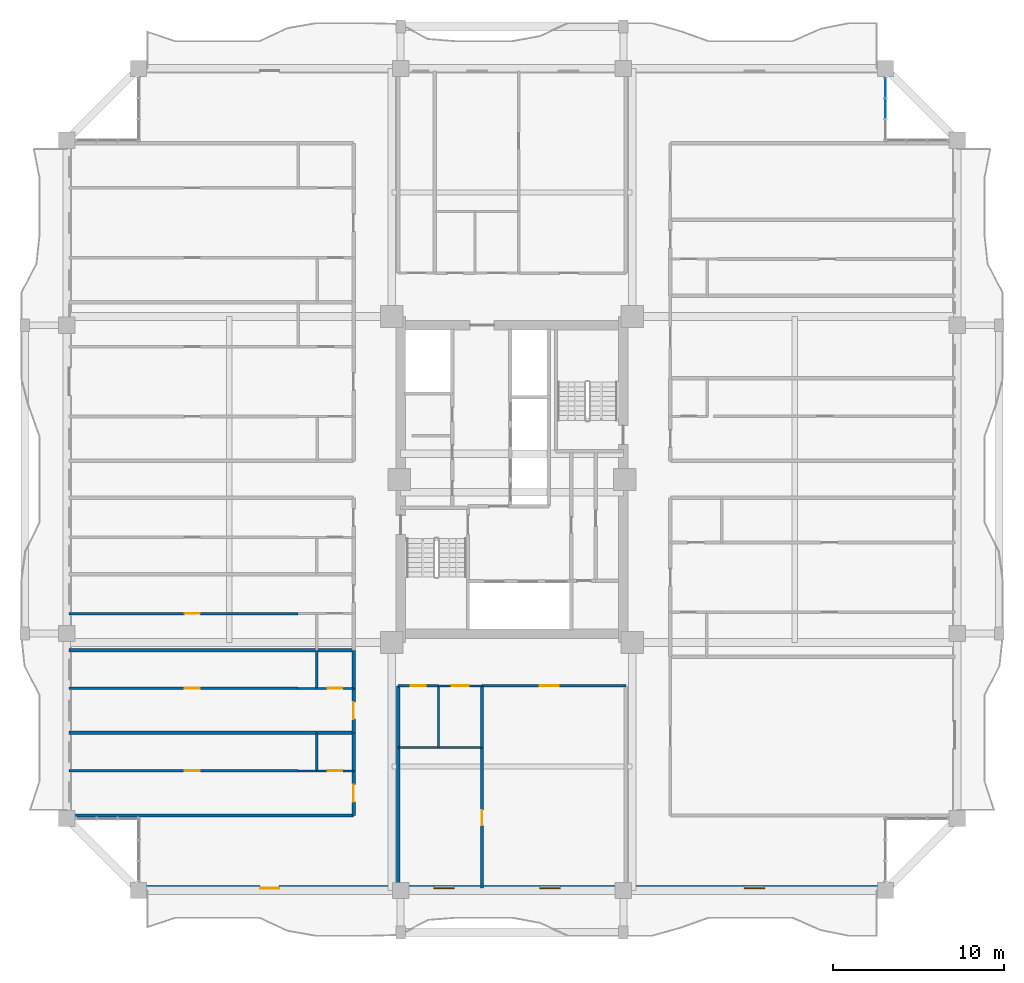
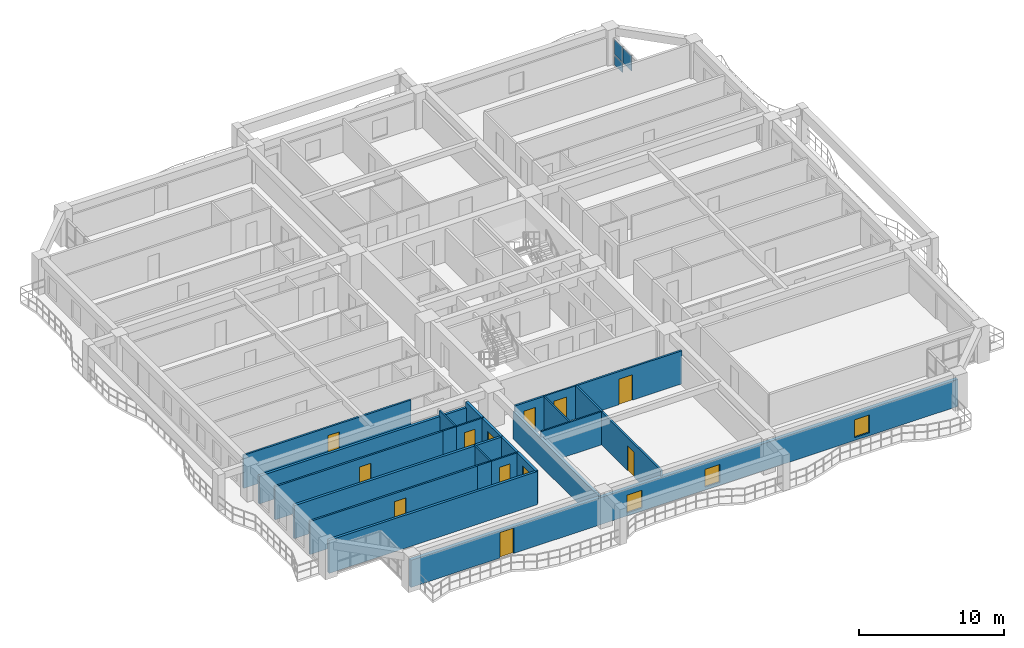
# One storey, part 13 of 24: 25 walls, 12 doors, 3 plates, 3 windows, 15 openings, 1 element without a shape of its own.
"""IFC4 building model written with IfcOpenShell, lengths in metres."""

from ifc_helpers import new_model, si_unit, direction, frame, frame_2d, origin, origin_2d, place, context, subcontext, project, spatial, rectangle, extrude, source, transform, mapped, material, layer, layer_set, type_object, element, fill, aggregate, save


model = new_model("IFC4")

# Units and contexts
model_context = context("Model", 3, precision=1e-05, world=origin(), true_north=direction((0.0, 1.0)))
body_context = subcontext(model_context, "Body", "Model", "MODEL_VIEW")
ifc_project = project(units=[si_unit("LENGTHUNIT", "METRE"), si_unit("AREAUNIT", "SQUARE_METRE"), si_unit("VOLUMEUNIT", "CUBIC_METRE"), si_unit("PLANEANGLEUNIT", "RADIAN"), si_unit("MASSUNIT", "GRAM", prefix="KILO")], contexts=[model_context])

# Site, building, storey
site_placement = place(None, origin())
site = spatial("IfcSite", under=ifc_project, at=site_placement, CompositionType="ELEMENT")
building_placement = place(site_placement, origin())
building = spatial("IfcBuilding", under=site, at=building_placement, Name="Saelheon Loggia Tower", CompositionType="ELEMENT")
storey_placement = place(building_placement, frame((0.0, 0.0, 126.75)))
storey = spatial("IfcBuildingStorey", under=building, at=storey_placement, Name="L40", CompositionType="ELEMENT", Elevation=126.75)

# Curtain wall, plates
ifc_material_1 = material(Name="High-Wind Aluminium and Triple Laminated Glass", Category="aluminium")
ifc_layer_1 = layer(ifc_material_1, 0.179931640625)
ifc_layer_set_1 = layer_set([ifc_layer_1], Name="High-Wind Aluminium and Triple Laminated Glass")
curtain_wall_type = type_object("IfcCurtainWallType", Name="CW_TowerLoggiaHigh", PredefinedType="NOTDEFINED", material=ifc_layer_set_1)
curtain_wall_placement = place(storey_placement, origin())
curtain_wall = element("IfcCurtainWall", 1, at=curtain_wall_placement, inside=storey, type_object=curtain_wall_type, Name="L40 Corner Notch Glazing NE1", PredefinedType="NOTDEFINED")
ifc_material_2 = material(Name="Triple Low-E Laminated Glazing", Category="glass")
ifc_layer_2 = layer(ifc_material_2, 0.0439453125)
ifc_layer_set_2 = layer_set([ifc_layer_2], Name="Triple Low-E Laminated Glazing")
plate_type = type_object("IfcPlateType", Name="CW_TowerLoggiaHigh_Panel", PredefinedType="CURTAIN_PANEL", material=ifc_layer_set_2)
shared_shape_1 = source(origin(), body_context, "Body", "SweptSolid", [
    extrude(rectangle(XDim=1.123291015625, YDim=0.0439453125, at=origin_2d()), origin(), (0.0, 0.0, 1.0), 0.794921875),
])
plate_1_placement = place(storey_placement, frame((59.800048828125, 49.853271484375, 0.070068359375), z_axis=(0.0, 0.0, 1.0), x_axis=(0.0, 1.0, 0.0)))
plate_1 = element("IfcPlate", 2, at=plate_1_placement, type_object=plate_type, Name="CW4 panel 3.1", PredefinedType="CURTAIN_PANEL", context=body_context, shape_type="MappedRepresentation", body=[
    mapped(shared_shape_1, transform((0.0, 0.0, 0.0), scale=1.0)),
])
shared_shape_2 = source(origin(), body_context, "Body", "SweptSolid", [
    extrude(rectangle(XDim=1.123291015625, YDim=0.0439453125, at=origin_2d()), origin(), (0.0, 0.0, 1.0), 1.27490234375),
])
plate_2_placement = place(storey_placement, frame((59.800048828125, 49.853271484375, 0.93505859375), z_axis=(0.0, 0.0, 1.0), x_axis=(0.0, 1.0, 0.0)))
plate_2 = element("IfcPlate", 3, at=plate_2_placement, type_object=plate_type, Name="CW4 panel 3.2", PredefinedType="CURTAIN_PANEL", context=body_context, shape_type="MappedRepresentation", body=[
    mapped(shared_shape_2, transform((0.0, 0.0, 0.0), scale=1.0)),
])
shared_shape_3 = source(origin(), body_context, "Body", "SweptSolid", [
    extrude(rectangle(XDim=1.158447265625, YDim=0.0439453125, at=origin_2d()), origin(), (0.0, 0.0, 1.0), 1.27490234375),
])
plate_3_placement = place(storey_placement, frame((59.800048828125, 48.642578125, 0.93505859375), z_axis=(0.0, 0.0, 1.0), x_axis=(0.0, 1.0, 0.0)))
plate_3 = element("IfcPlate", 4, at=plate_3_placement, type_object=plate_type, Name="CW4 panel 2.2", PredefinedType="CURTAIN_PANEL", context=body_context, shape_type="MappedRepresentation", body=[
    mapped(shared_shape_3, transform((0.0, 0.0, 0.0), scale=1.0)),
])
aggregate(curtain_wall, [plate_3, plate_1, plate_2])

# Wall, openings, windows, door
ifc_material_3 = material(Name="Architectural Precast Concrete C40/50", Category="concrete")
ifc_layer_3 = layer(ifc_material_3, 0.280029296875)
ifc_layer_set_3 = layer_set([ifc_layer_3], Name="Architectural Precast Concrete C40/50")
wall_type_1 = type_object("IfcWallType", Name="Wall_Ext_Loggia_280", PredefinedType="SOLIDWALL", material=ifc_layer_set_3)
wall_1_placement = place(storey_placement, frame((16.199951171875, 3.139892578125, 0.0), z_axis=(0.0, 0.0, 1.0), x_axis=(1.0, 0.0, 0.0)))
wall_1 = element("IfcWall", 5, at=wall_1_placement, inside=storey, type_object=wall_type_1, Name="L40 South Loggia Inner Wall", PredefinedType="SOLIDWALL", context=body_context, shape_type="SweptSolid", body=[
    extrude(rectangle(XDim=43.60009765625, YDim=0.280029296875, at=frame_2d((21.800048828125, 0.0))), origin(), (0.0, 0.0, 1.0), 2.280029296875),
])
opening_1_placement = place(wall_1_placement, frame((8.2001953125, 0.0, 0.0), z_axis=(0.0, 0.0, 1.0), x_axis=(-1.0, 0.0, 0.0)))
opening_1 = element("IfcOpeningElement", 6, at=opening_1_placement, cuts=wall_1, Name="Opening TD1", PredefinedType="OPENING", context=body_context, shape_type="SweptSolid", body=[
    extrude(rectangle(XDim=1.10009765625, YDim=2.14990234375, at=frame_2d((0.550048828125, 1.074951171875))), frame((0.0, 0.152099609375, 0.0), z_axis=(0.0, -1.0, 0.0), x_axis=(1.0, 0.0, 0.0)), (0.0, 0.0, 1.0), 0.303955078125),
])
opening_2_placement = place(wall_1_placement, frame((17.232421875, 0.0, 0.25)))
opening_2 = element("IfcOpeningElement", 7, at=opening_2_placement, cuts=wall_1, Name="Opening WN-03", PredefinedType="OPENING", context=body_context, shape_type="SweptSolid", body=[
    extrude(rectangle(XDim=1.199951171875, YDim=1.5, at=frame_2d((0.60009765625, 0.75))), frame((0.0, 0.152099609375, 0.0), z_axis=(0.0, -1.0, 0.0), x_axis=(1.0, 0.0, 0.0)), (0.0, 0.0, 1.0), 0.303955078125),
])
opening_3_placement = place(wall_1_placement, frame((23.41748046875, 0.0, 0.25)))
opening_3 = element("IfcOpeningElement", 8, at=opening_3_placement, cuts=wall_1, Name="Opening WN-03", PredefinedType="OPENING", context=body_context, shape_type="SweptSolid", body=[
    extrude(rectangle(XDim=1.199951171875, YDim=1.5, at=frame_2d((0.60009765625, 0.75))), frame((0.0, 0.152099609375, 0.0), z_axis=(0.0, -1.0, 0.0), x_axis=(1.0, 0.0, 0.0)), (0.0, 0.0, 1.0), 0.303955078125),
])
opening_4_placement = place(wall_1_placement, frame((35.35009765625, 0.0, 0.25)))
opening_4 = element("IfcOpeningElement", 9, at=opening_4_placement, cuts=wall_1, Name="Opening WN-03", PredefinedType="OPENING", context=body_context, shape_type="SweptSolid", body=[
    extrude(rectangle(XDim=1.199951171875, YDim=1.5, at=frame_2d((0.60009765625, 0.75))), frame((0.0, 0.152099609375, 0.0), z_axis=(0.0, -1.0, 0.0), x_axis=(1.0, 0.0, 0.0)), (0.0, 0.0, 1.0), 0.303955078125),
])
ifc_material_4 = material(Name="Thermal-Break Aluminium and Triple Low-E Glass", Category="aluminium")
window_type = type_object("IfcWindowType", Name="Win_Bedroom_1200x1500", PartitioningType="SINGLE_PANEL", PredefinedType="WINDOW", material=ifc_material_4)
shared_shape_4 = source(origin(), body_context, "Body", "SweptSolid", [
    extrude(rectangle(XDim=1.199951171875, YDim=1.5, at=frame_2d((0.60009765625, 0.75))), frame((0.0, 0.030029296875, 0.0), z_axis=(0.0, -1.0, 0.0), x_axis=(1.0, 0.0, 0.0)), (0.0, 0.0, 1.0), 0.06005859375),
])
window_1_placement = place(opening_2_placement, origin())
window_1 = element("IfcWindow", 10, at=window_1_placement, inside=storey, type_object=window_type, Name="L40 S Dwelling Window 2", OverallHeight=1.5, OverallWidth=1.199951171875, PartitioningType="SINGLE_PANEL", PredefinedType="WINDOW", context=body_context, shape_type="MappedRepresentation", body=[
    mapped(shared_shape_4, transform((0.0, 0.0, 0.0), scale=1.0)),
])
fill(opening_2, window_1)
window_2_placement = place(opening_3_placement, origin())
window_2 = element("IfcWindow", 11, at=window_2_placement, inside=storey, type_object=window_type, Name="L40 S Dwelling Window 3", OverallHeight=1.5, OverallWidth=1.199951171875, PartitioningType="SINGLE_PANEL", PredefinedType="WINDOW", context=body_context, shape_type="MappedRepresentation", body=[
    mapped(shared_shape_4, transform((0.0, 0.0, 0.0), scale=1.0)),
])
fill(opening_3, window_2)
window_3_placement = place(opening_4_placement, origin())
window_3 = element("IfcWindow", 12, at=window_3_placement, inside=storey, type_object=window_type, Name="L40 S Dwelling Window 4", OverallHeight=1.5, OverallWidth=1.199951171875, PartitioningType="SINGLE_PANEL", PredefinedType="WINDOW", context=body_context, shape_type="MappedRepresentation", body=[
    mapped(shared_shape_4, transform((0.0, 0.0, 0.0), scale=1.0)),
])
fill(opening_4, window_3)
ifc_material_5 = material(Name="Thermal-Break Aluminium Glazed Door", Category="aluminium")
door_type_1 = type_object("IfcDoorType", Name="Door_Terrace_TD1", OperationType="NOTDEFINED", PredefinedType="DOOR", material=ifc_material_5)
shared_shape_5 = source(origin(), body_context, "Body", "SweptSolid", [
    extrude(rectangle(XDim=1.10009765625, YDim=2.14990234375, at=frame_2d((0.550048828125, 1.074951171875))), frame((0.0, 0.02490234375, 0.0), z_axis=(0.0, -1.0, 0.0), x_axis=(1.0, 0.0, 0.0)), (0.0, 0.0, 1.0), 0.050048828125),
])
door_1_placement = place(opening_1_placement, origin())
door_1 = element("IfcDoor", 13, at=door_1_placement, inside=storey, type_object=door_type_1, Name="L40 S Loggia Access Door", OperationType="SINGLE_SWING_LEFT", OverallHeight=2.14990234375, OverallWidth=1.10009765625, PredefinedType="DOOR", context=body_context, shape_type="MappedRepresentation", body=[
    mapped(shared_shape_5, transform((0.0, 0.0, 0.0), scale=1.0)),
])
fill(opening_1, door_1)

# Wall
ifc_material_6 = material(Name="Lightweight Autoclaved Aerated Concrete Block and Acoustic Gypsum", Category="concrete")
ifc_layer_4 = layer(ifc_material_6, 0.14990234375)
ifc_layer_set_4 = layer_set([ifc_layer_4], Name="Lightweight Autoclaved Aerated Concrete Block and Acoustic Gypsum")
wall_type_2 = type_object("IfcWallType", Name="Wall_Part_150", PredefinedType="PARTITIONING", material=ifc_layer_set_4)
wall_2_placement = place(storey_placement, frame((36.25, 14.949951171875, 0.0), z_axis=(0.0, 0.0, 1.0), x_axis=(0.0, -1.0, 0.0)))
element("IfcWall", 14, at=wall_2_placement, inside=storey, type_object=wall_type_2, Name="L40 S Partition U04", PredefinedType="PARTITIONING", context=body_context, shape_type="SweptSolid", body=[
    extrude(rectangle(XDim=3.599853515625, YDim=0.14990234375, at=frame_2d((1.7998046875, 0.0))), origin(), (0.0, 0.0, 1.0), 2.7900390625),
])

# Wall, opening, door
wall_3_placement = place(storey_placement, frame((36.25, 11.35009765625, 0.0), z_axis=(0.0, 0.0, 1.0), x_axis=(0.0, -1.0, 0.0)))
wall_3 = element("IfcWall", 15, at=wall_3_placement, inside=storey, type_object=wall_type_2, Name="L40 S Partition U05", PredefinedType="PARTITIONING", context=body_context, shape_type="SweptSolid", body=[
    extrude(rectangle(XDim=8.2001953125, YDim=0.14990234375, at=frame_2d((4.10009765625, 0.0))), origin(), (0.0, 0.0, 1.0), 2.7900390625),
])
opening_5_placement = place(wall_3_placement, frame((3.64990234375, 0.0, 0.0)))
opening_5 = element("IfcOpeningElement", 16, at=opening_5_placement, cuts=wall_3, Name="Opening D-IN2", PredefinedType="OPENING", context=body_context, shape_type="SweptSolid", body=[
    extrude(rectangle(XDim=0.89990234375, YDim=2.10009765625, at=frame_2d((0.449951171875, 1.050048828125))), frame((0.0, 0.0869140625, 0.0), z_axis=(0.0, -1.0, 0.0), x_axis=(1.0, 0.0, 0.0)), (0.0, 0.0, 1.0), 0.173828125),
])
ifc_material_7 = material(Name="Engineered Oak Flush Door", Category="timber")
door_type_2 = type_object("IfcDoorType", Name="Door_Int_900", OperationType="NOTDEFINED", PredefinedType="DOOR", material=ifc_material_7)
shared_shape_6 = source(origin(), body_context, "Body", "SweptSolid", [
    extrude(rectangle(XDim=0.89990234375, YDim=2.10009765625, at=frame_2d((0.449951171875, 1.050048828125))), frame((0.0, 0.02490234375, 0.0), z_axis=(0.0, -1.0, 0.0), x_axis=(1.0, 0.0, 0.0)), (0.0, 0.0, 1.0), 0.050048828125),
])
door_2_placement = place(opening_5_placement, origin())
door_2 = element("IfcDoor", 17, at=door_2_placement, inside=storey, type_object=door_type_2, Name="L40 Reading Alcove Door", OperationType="SINGLE_SWING_RIGHT", OverallHeight=2.10009765625, OverallWidth=0.89990234375, PredefinedType="DOOR", context=body_context, shape_type="MappedRepresentation", body=[
    mapped(shared_shape_6, transform((0.0, 0.0, 0.0), scale=1.0)),
])
fill(opening_5, door_2)

wall_4_placement = place(storey_placement, frame((31.35009765625, 14.949951171875, 0.0), z_axis=(0.0, 0.0, 1.0), x_axis=(1.0, 0.0, 0.0)))
wall_4 = element("IfcWall", 18, at=wall_4_placement, inside=storey, type_object=wall_type_2, Name="L40 S Partition V07", PredefinedType="PARTITIONING", context=body_context, shape_type="SweptSolid", body=[
    extrude(rectangle(XDim=2.349853515625, YDim=0.14990234375, at=frame_2d((1.1748046875, 0.0))), origin(), (0.0, 0.0, 1.0), 2.7900390625),
])
opening_6_placement = place(wall_4_placement, frame((0.72509765625, 0.0, 0.0)))
opening_6 = element("IfcOpeningElement", 19, at=opening_6_placement, cuts=wall_4, Name="Opening D-IN2", PredefinedType="OPENING", context=body_context, shape_type="SweptSolid", body=[
    extrude(rectangle(XDim=0.89990234375, YDim=2.10009765625, at=frame_2d((0.449951171875, 1.050048828125))), frame((0.0, 0.0869140625, 0.0), z_axis=(0.0, -1.0, 0.0), x_axis=(1.0, 0.0, 0.0)), (0.0, 0.0, 1.0), 0.173828125),
])
door_3_placement = place(opening_6_placement, origin())
door_3 = element("IfcDoor", 20, at=door_3_placement, inside=storey, type_object=door_type_2, Name="L40 Community Pantry Door", OperationType="SINGLE_SWING_LEFT", OverallHeight=2.10009765625, OverallWidth=0.89990234375, PredefinedType="DOOR", context=body_context, shape_type="MappedRepresentation", body=[
    mapped(shared_shape_6, transform((0.0, 0.0, 0.0), scale=1.0)),
])
fill(opening_6, door_3)

wall_5_placement = place(storey_placement, frame((36.25, 14.949951171875, 0.0), z_axis=(0.0, 0.0, 1.0), x_axis=(1.0, 0.0, 0.0)))
wall_5 = element("IfcWall", 21, at=wall_5_placement, inside=storey, type_object=wall_type_2, Name="L40 S Partition V09", PredefinedType="PARTITIONING", context=body_context, shape_type="SweptSolid", body=[
    extrude(rectangle(XDim=8.39990234375, YDim=0.14990234375, at=frame_2d((4.199951171875, 0.0))), origin(), (0.0, 0.0, 1.0), 2.7900390625),
])
opening_7_placement = place(wall_5_placement, frame((3.367431640625, 0.0, 0.0)))
opening_7 = element("IfcOpeningElement", 22, at=opening_7_placement, cuts=wall_5, Name="Opening D-FD2", PredefinedType="OPENING", context=body_context, shape_type="SweptSolid", body=[
    extrude(rectangle(XDim=1.10009765625, YDim=2.14990234375, at=frame_2d((0.550048828125, 1.074951171875))), frame((0.0, 0.0869140625, 0.0), z_axis=(0.0, -1.0, 0.0), x_axis=(1.0, 0.0, 0.0)), (0.0, 0.0, 1.0), 0.173828125),
])
ifc_material_8 = material(Name="Galvanised Steel Fire Door", Category="steel")
door_type_3 = type_object("IfcDoorType", Name="Door_Fire_FD60_1100", OperationType="NOTDEFINED", PredefinedType="DOOR", material=ifc_material_8)
door_4_placement = place(opening_7_placement, origin())
door_4 = element("IfcDoor", 23, at=door_4_placement, inside=storey, type_object=door_type_3, Name="L40 Sky Community Club Hall Door A", OperationType="SINGLE_SWING_LEFT", OverallHeight=2.14990234375, OverallWidth=1.10009765625, PredefinedType="DOOR", context=body_context, shape_type="MappedRepresentation", body=[
    mapped(shared_shape_5, transform((0.0, 0.0, 0.0), scale=1.0)),
])
fill(opening_7, door_4)

wall_6_placement = place(storey_placement, frame((25.510009765625, 9.98291015625, 0.0), z_axis=(0.0, 0.0, 1.0), x_axis=(-1.0, 0.0, 0.0)))
wall_6 = element("IfcWall", 24, at=wall_6_placement, inside=storey, type_object=wall_type_2, Name="L40 WS Partition U08", PredefinedType="PARTITIONING", context=body_context, shape_type="SweptSolid", body=[
    extrude(rectangle(XDim=13.360107421875, YDim=0.14990234375, at=frame_2d((6.68017578125, 0.0))), origin(), (0.0, 0.0, 1.0), 2.7900390625),
])
opening_8_placement = place(wall_6_placement, frame((5.730712890625, 0.0, 0.0)))
opening_8 = element("IfcOpeningElement", 25, at=opening_8_placement, cuts=wall_6, Name="Opening D-IN2", PredefinedType="OPENING", context=body_context, shape_type="SweptSolid", body=[
    extrude(rectangle(XDim=0.89990234375, YDim=2.10009765625, at=frame_2d((0.449951171875, 1.050048828125))), frame((0.0, 0.0869140625, 0.0), z_axis=(0.0, -1.0, 0.0), x_axis=(1.0, 0.0, 0.0)), (0.0, 0.0, 1.0), 0.173828125),
])
door_5_placement = place(opening_8_placement, origin())
door_5 = element("IfcDoor", 26, at=door_5_placement, inside=storey, type_object=door_type_2, Name="Unit U01 Kitchen Door", OperationType="SINGLE_SWING_LEFT", OverallHeight=2.10009765625, OverallWidth=0.89990234375, PredefinedType="DOOR", context=body_context, shape_type="MappedRepresentation", body=[
    mapped(shared_shape_6, transform((0.0, 0.0, 0.0), scale=1.0)),
])
fill(opening_8, door_5)

wall_7_placement = place(storey_placement, frame((25.510009765625, 14.803466796875, 0.0), z_axis=(0.0, 0.0, 1.0), x_axis=(-1.0, 0.0, 0.0)))
wall_7 = element("IfcWall", 27, at=wall_7_placement, inside=storey, type_object=wall_type_2, Name="L40 WS Partition U15", PredefinedType="PARTITIONING", context=body_context, shape_type="SweptSolid", body=[
    extrude(rectangle(XDim=13.360107421875, YDim=0.14990234375, at=frame_2d((6.68017578125, 0.0))), origin(), (0.0, 0.0, 1.0), 2.7900390625),
])
opening_9_placement = place(wall_7_placement, frame((5.730712890625, 0.0, 0.0)))
opening_9 = element("IfcOpeningElement", 28, at=opening_9_placement, cuts=wall_7, Name="Opening D-IN2", PredefinedType="OPENING", context=body_context, shape_type="SweptSolid", body=[
    extrude(rectangle(XDim=0.89990234375, YDim=2.10009765625, at=frame_2d((0.449951171875, 1.050048828125))), frame((0.0, 0.0869140625, 0.0), z_axis=(0.0, -1.0, 0.0), x_axis=(1.0, 0.0, 0.0)), (0.0, 0.0, 1.0), 0.173828125),
])
door_6_placement = place(opening_9_placement, origin())
door_6 = element("IfcDoor", 29, at=door_6_placement, inside=storey, type_object=door_type_2, Name="Unit U02 Kitchen Door", OperationType="SINGLE_SWING_RIGHT", OverallHeight=2.10009765625, OverallWidth=0.89990234375, PredefinedType="DOOR", context=body_context, shape_type="MappedRepresentation", body=[
    mapped(shared_shape_6, transform((0.0, 0.0, 0.0), scale=1.0)),
])
fill(opening_9, door_6)

wall_8_placement = place(storey_placement, frame((25.510009765625, 19.1708984375, 0.0), z_axis=(0.0, 0.0, 1.0), x_axis=(-1.0, 0.0, 0.0)))
wall_8 = element("IfcWall", 30, at=wall_8_placement, inside=storey, type_object=wall_type_2, Name="L40 WS Partition U22", PredefinedType="PARTITIONING", context=body_context, shape_type="SweptSolid", body=[
    extrude(rectangle(XDim=13.360107421875, YDim=0.14990234375, at=frame_2d((6.68017578125, 0.0))), origin(), (0.0, 0.0, 1.0), 2.7900390625),
])
opening_10_placement = place(wall_8_placement, frame((5.730712890625, 0.0, 0.0)))
opening_10 = element("IfcOpeningElement", 31, at=opening_10_placement, cuts=wall_8, Name="Opening D-IN2", PredefinedType="OPENING", context=body_context, shape_type="SweptSolid", body=[
    extrude(rectangle(XDim=0.89990234375, YDim=2.10009765625, at=frame_2d((0.449951171875, 1.050048828125))), frame((0.0, 0.0869140625, 0.0), z_axis=(0.0, -1.0, 0.0), x_axis=(1.0, 0.0, 0.0)), (0.0, 0.0, 1.0), 0.173828125),
])
door_7_placement = place(opening_10_placement, origin())
door_7 = element("IfcDoor", 32, at=door_7_placement, inside=storey, type_object=door_type_2, Name="Unit U03 Kitchen Door", OperationType="SINGLE_SWING_LEFT", OverallHeight=2.10009765625, OverallWidth=0.89990234375, PredefinedType="DOOR", context=body_context, shape_type="MappedRepresentation", body=[
    mapped(shared_shape_6, transform((0.0, 0.0, 0.0), scale=1.0)),
])
fill(opening_10, door_7)

# Walls
ifc_material_9 = material(Name="Double Acoustic Stud and Fireboard Partition", Category="gypsum")
ifc_layer_5 = layer(ifc_material_9, 0.199951171875)
ifc_layer_set_5 = layer_set([ifc_layer_5], Name="Double Acoustic Stud and Fireboard Partition")
wall_type_3 = type_object("IfcWallType", Name="Wall_Party_200", PredefinedType="PARTITIONING", material=ifc_layer_set_5)
wall_9_placement = place(storey_placement, frame((31.35009765625, 14.949951171875, 0.0), z_axis=(0.0, 0.0, 1.0), x_axis=(0.0, -1.0, 0.0)))
element("IfcWall", 33, at=wall_9_placement, inside=storey, type_object=wall_type_3, Name="L40 S Partition U01", PredefinedType="PARTITIONING", context=body_context, shape_type="SweptSolid", body=[
    extrude(rectangle(XDim=11.800048828125, YDim=0.199951171875, at=frame_2d((5.89990234375, 0.0))), origin(), (0.0, 0.0, 1.0), 2.340087890625),
])
wall_10_placement = place(storey_placement, frame((28.75, 7.3798828125, 0.0), z_axis=(0.0, 0.0, 1.0), x_axis=(-1.0, 0.0, 0.0)))
element("IfcWall", 34, at=wall_10_placement, inside=storey, type_object=wall_type_3, Name="L40 WS Partition U01", PredefinedType="PARTITIONING", context=body_context, shape_type="SweptSolid", body=[
    extrude(rectangle(XDim=16.60009765625, YDim=0.199951171875, at=frame_2d((8.300048828125, 0.0))), origin(), (0.0, 0.0, 1.0), 2.7900390625),
])

# Wall, opening, door
wall_11_placement = place(storey_placement, frame((28.75, 7.3798828125, 0.0), z_axis=(0.0, 0.0, 1.0), x_axis=(0.0, 1.0, 0.0)))
wall_11 = element("IfcWall", 35, at=wall_11_placement, inside=storey, type_object=wall_type_3, Name="L40 WS Partition V03", PredefinedType="PARTITIONING", context=body_context, shape_type="SweptSolid", body=[
    extrude(rectangle(XDim=2.60302734375, YDim=0.199951171875, at=frame_2d((1.301513671875, 0.0))), origin(), (0.0, 0.0, 1.0), 2.7900390625),
])
opening_11_placement = place(wall_11_placement, frame((0.801513671875, 0.0, 0.0)))
opening_11 = element("IfcOpeningElement", 36, at=opening_11_placement, cuts=wall_11, Name="Opening D-FD1", PredefinedType="OPENING", context=body_context, shape_type="SweptSolid", body=[
    extrude(rectangle(XDim=1.0, YDim=2.14990234375, at=frame_2d((0.5, 1.074951171875))), frame((0.0, 0.112060546875, 0.0), z_axis=(0.0, -1.0, 0.0), x_axis=(1.0, 0.0, 0.0)), (0.0, 0.0, 1.0), 0.223876953125),
])
ifc_material_10 = material(Name="Fire-Rated Engineered Timber Entrance Door", Category="wood")
door_type_4 = type_object("IfcDoorType", Name="Door_Flat_FD30S", OperationType="NOTDEFINED", PredefinedType="DOOR", material=ifc_material_10)
shared_shape_7 = source(origin(), body_context, "Body", "SweptSolid", [
    extrude(rectangle(XDim=1.0, YDim=2.14990234375, at=frame_2d((0.5, 1.074951171875))), frame((0.0, 0.02490234375, 0.0), z_axis=(0.0, -1.0, 0.0), x_axis=(1.0, 0.0, 0.0)), (0.0, 0.0, 1.0), 0.050048828125),
])
door_8_placement = place(opening_11_placement, origin())
door_8 = element("IfcDoor", 37, at=door_8_placement, inside=storey, type_object=door_type_4, Name="Unit U01 Entrance Door", OperationType="SINGLE_SWING_LEFT", OverallHeight=2.14990234375, OverallWidth=1.0, PredefinedType="DOOR", context=body_context, shape_type="MappedRepresentation", body=[
    mapped(shared_shape_7, transform((0.0, 0.0, 0.0), scale=1.0)),
])
fill(opening_11, door_8)

# Walls
wall_12_placement = place(storey_placement, frame((28.75, 9.98291015625, 0.0), z_axis=(0.0, 0.0, 1.0), x_axis=(0.0, 1.0, 0.0)))
element("IfcWall", 38, at=wall_12_placement, inside=storey, type_object=wall_type_3, Name="L40 WS Partition V04", PredefinedType="PARTITIONING", context=body_context, shape_type="SweptSolid", body=[
    extrude(rectangle(XDim=2.217529296875, YDim=0.199951171875, at=frame_2d((1.10888671875, 0.0))), origin(), (0.0, 0.0, 1.0), 2.7900390625),
])
wall_13_placement = place(storey_placement, frame((28.75, 12.200439453125, 0.0), z_axis=(0.0, 0.0, 1.0), x_axis=(-1.0, 0.0, 0.0)))
element("IfcWall", 39, at=wall_13_placement, inside=storey, type_object=wall_type_3, Name="L40 WS Partition U09", PredefinedType="PARTITIONING", context=body_context, shape_type="SweptSolid", body=[
    extrude(rectangle(XDim=16.60009765625, YDim=0.199951171875, at=frame_2d((8.300048828125, 0.0))), origin(), (0.0, 0.0, 1.0), 2.7900390625),
])

# Wall, opening, door
wall_14_placement = place(storey_placement, frame((28.75, 12.200439453125, 0.0), z_axis=(0.0, 0.0, 1.0), x_axis=(0.0, 1.0, 0.0)))
wall_14 = element("IfcWall", 40, at=wall_14_placement, inside=storey, type_object=wall_type_3, Name="L40 WS Partition V10", PredefinedType="PARTITIONING", context=body_context, shape_type="SweptSolid", body=[
    extrude(rectangle(XDim=2.60302734375, YDim=0.199951171875, at=frame_2d((1.301513671875, 0.0))), origin(), (0.0, 0.0, 1.0), 2.7900390625),
])
opening_12_placement = place(wall_14_placement, frame((0.801513671875, 0.0, 0.0)))
opening_12 = element("IfcOpeningElement", 41, at=opening_12_placement, cuts=wall_14, Name="Opening D-FD1", PredefinedType="OPENING", context=body_context, shape_type="SweptSolid", body=[
    extrude(rectangle(XDim=1.0, YDim=2.14990234375, at=frame_2d((0.5, 1.074951171875))), frame((0.0, 0.112060546875, 0.0), z_axis=(0.0, -1.0, 0.0), x_axis=(1.0, 0.0, 0.0)), (0.0, 0.0, 1.0), 0.223876953125),
])
door_9_placement = place(opening_12_placement, origin())
door_9 = element("IfcDoor", 42, at=door_9_placement, inside=storey, type_object=door_type_4, Name="Unit U02 Entrance Door", OperationType="SINGLE_SWING_RIGHT", OverallHeight=2.14990234375, OverallWidth=1.0, PredefinedType="DOOR", context=body_context, shape_type="MappedRepresentation", body=[
    mapped(shared_shape_7, transform((0.0, 0.0, 0.0), scale=1.0)),
])
fill(opening_12, door_9)

# Walls
wall_15_placement = place(storey_placement, frame((28.75, 14.803466796875, 0.0), z_axis=(0.0, 0.0, 1.0), x_axis=(0.0, 1.0, 0.0)))
element("IfcWall", 43, at=wall_15_placement, inside=storey, type_object=wall_type_3, Name="L40 WS Partition V11", PredefinedType="PARTITIONING", context=body_context, shape_type="SweptSolid", body=[
    extrude(rectangle(XDim=2.21728515625, YDim=0.199951171875, at=frame_2d((1.108642578125, 0.0))), origin(), (0.0, 0.0, 1.0), 2.7900390625),
])
wall_16_placement = place(storey_placement, frame((28.75, 17.020751953125, 0.0), z_axis=(0.0, 0.0, 1.0), x_axis=(-1.0, 0.0, 0.0)))
element("IfcWall", 44, at=wall_16_placement, inside=storey, type_object=wall_type_3, Name="L40 WS Partition U16", PredefinedType="PARTITIONING", context=body_context, shape_type="SweptSolid", body=[
    extrude(rectangle(XDim=16.60009765625, YDim=0.199951171875, at=frame_2d((8.300048828125, 0.0))), origin(), (0.0, 0.0, 1.0), 2.340087890625),
])
ifc_material_11 = material(Name="Moisture-Resistant Cement Board Partition", Category="gypsum")
ifc_layer_6 = layer(ifc_material_11, 0.1201171875)
ifc_layer_set_6 = layer_set([ifc_layer_6], Name="Moisture-Resistant Cement Board Partition")
wall_type_4 = type_object("IfcWallType", Name="Wall_WetPart_120", PredefinedType="PARTITIONING", material=ifc_layer_set_6)
wall_17_placement = place(storey_placement, frame((33.699951171875, 14.949951171875, 0.0), z_axis=(0.0, 0.0, 1.0), x_axis=(0.0, -1.0, 0.0)))
element("IfcWall", 45, at=wall_17_placement, inside=storey, type_object=wall_type_4, Name="L40 S Partition U03", PredefinedType="PARTITIONING", context=body_context, shape_type="SweptSolid", body=[
    extrude(rectangle(XDim=3.599853515625, YDim=0.1201171875, at=frame_2d((1.7998046875, 0.0))), origin(), (0.0, 0.0, 1.0), 2.7900390625),
])
wall_18_placement = place(storey_placement, frame((31.35009765625, 11.35009765625, 0.0), z_axis=(0.0, 0.0, 1.0), x_axis=(1.0, 0.0, 0.0)))
element("IfcWall", 46, at=wall_18_placement, inside=storey, type_object=wall_type_4, Name="L40 S Partition V06", PredefinedType="PARTITIONING", context=body_context, shape_type="SweptSolid", body=[
    extrude(rectangle(XDim=4.89990234375, YDim=0.1201171875, at=frame_2d((2.449951171875, 0.0))), origin(), (0.0, 0.0, 1.0), 2.7900390625),
])

# Wall, opening, door
wall_19_placement = place(storey_placement, frame((33.699951171875, 14.949951171875, 0.0), z_axis=(0.0, 0.0, 1.0), x_axis=(1.0, 0.0, 0.0)))
wall_19 = element("IfcWall", 47, at=wall_19_placement, inside=storey, type_object=wall_type_4, Name="L40 S Partition V08", PredefinedType="PARTITIONING", context=body_context, shape_type="SweptSolid", body=[
    extrude(rectangle(XDim=2.550048828125, YDim=0.1201171875, at=frame_2d((1.27490234375, 0.0))), origin(), (0.0, 0.0, 1.0), 2.7900390625),
])
opening_13_placement = place(wall_19_placement, frame((0.77490234375, 0.0, 0.0)))
opening_13 = element("IfcOpeningElement", 48, at=opening_13_placement, cuts=wall_19, Name="Opening D-AC1", PredefinedType="OPENING", context=body_context, shape_type="SweptSolid", body=[
    extrude(rectangle(XDim=1.0, YDim=2.10009765625, at=frame_2d((0.5, 1.050048828125))), frame((0.0, 0.072021484375, 0.0), z_axis=(0.0, -1.0, 0.0), x_axis=(1.0, 0.0, 0.0)), (0.0, 0.0, 1.0), 0.14404296875),
])
ifc_material_12 = material(Name="Accessible Laminate Flush Door", Category="timber")
door_type_5 = type_object("IfcDoorType", Name="Door_Acc_1000", OperationType="NOTDEFINED", PredefinedType="DOOR", material=ifc_material_12)
shared_shape_8 = source(origin(), body_context, "Body", "SweptSolid", [
    extrude(rectangle(XDim=1.0, YDim=2.10009765625, at=frame_2d((0.5, 1.050048828125))), frame((0.0, 0.02490234375, 0.0), z_axis=(0.0, -1.0, 0.0), x_axis=(1.0, 0.0, 0.0)), (0.0, 0.0, 1.0), 0.050048828125),
])
door_10_placement = place(opening_13_placement, origin())
door_10 = element("IfcDoor", 49, at=door_10_placement, inside=storey, type_object=door_type_5, Name="L40 Common Washroom Door", OperationType="SINGLE_SWING_RIGHT", OverallHeight=2.10009765625, OverallWidth=1.0, PredefinedType="DOOR", context=body_context, shape_type="MappedRepresentation", body=[
    mapped(shared_shape_8, transform((0.0, 0.0, 0.0), scale=1.0)),
])
fill(opening_13, door_10)

wall_20_placement = place(storey_placement, frame((28.75, 9.98291015625, 0.0), z_axis=(0.0, 0.0, 1.0), x_axis=(-1.0, 0.0, 0.0)))
wall_20 = element("IfcWall", 50, at=wall_20_placement, inside=storey, type_object=wall_type_4, Name="L40 WS Partition U05", PredefinedType="PARTITIONING", context=body_context, shape_type="SweptSolid", body=[
    extrude(rectangle(XDim=2.14990234375, YDim=0.1201171875, at=frame_2d((1.074951171875, 0.0))), origin(), (0.0, 0.0, 1.0), 2.7900390625),
])
opening_14_placement = place(wall_20_placement, frame((0.64990234375, 0.0, 0.0)))
opening_14 = element("IfcOpeningElement", 51, at=opening_14_placement, cuts=wall_20, Name="Opening D-BT1", PredefinedType="OPENING", context=body_context, shape_type="SweptSolid", body=[
    extrude(rectangle(XDim=0.85009765625, YDim=2.050048828125, at=frame_2d((0.425048828125, 1.02490234375))), frame((0.0, 0.072021484375, 0.0), z_axis=(0.0, -1.0, 0.0), x_axis=(1.0, 0.0, 0.0)), (0.0, 0.0, 1.0), 0.14404296875),
])
ifc_material_13 = material(Name="Moisture-Resistant Laminate Timber Door", Category="wood")
door_type_6 = type_object("IfcDoorType", Name="Door_Bath_850", OperationType="NOTDEFINED", PredefinedType="DOOR", material=ifc_material_13)
shared_shape_9 = source(origin(), body_context, "Body", "SweptSolid", [
    extrude(rectangle(XDim=0.85009765625, YDim=2.050048828125, at=frame_2d((0.425048828125, 1.02490234375))), frame((0.0, 0.02490234375, 0.0), z_axis=(0.0, -1.0, 0.0), x_axis=(1.0, 0.0, 0.0)), (0.0, 0.0, 1.0), 0.050048828125),
])
door_11_placement = place(opening_14_placement, origin())
door_11 = element("IfcDoor", 52, at=door_11_placement, inside=storey, type_object=door_type_6, Name="Unit U01 Bathroom Door", OperationType="SINGLE_SWING_RIGHT", OverallHeight=2.050048828125, OverallWidth=0.85009765625, PredefinedType="DOOR", context=body_context, shape_type="MappedRepresentation", body=[
    mapped(shared_shape_9, transform((0.0, 0.0, 0.0), scale=1.0)),
])
fill(opening_14, door_11)

# Walls
wall_21_placement = place(storey_placement, frame((26.60009765625, 9.98291015625, 0.0), z_axis=(0.0, 0.0, 1.0), x_axis=(-1.0, 0.0, 0.0)))
element("IfcWall", 53, at=wall_21_placement, inside=storey, type_object=wall_type_4, Name="L40 WS Partition U06", PredefinedType="PARTITIONING", context=body_context, shape_type="SweptSolid", body=[
    extrude(rectangle(XDim=1.090087890625, YDim=0.1201171875, at=frame_2d((0.544921875, 0.0))), origin(), (0.0, 0.0, 1.0), 2.7900390625),
])
wall_22_placement = place(storey_placement, frame((26.60009765625, 9.98291015625, 0.0), z_axis=(0.0, 0.0, 1.0), x_axis=(0.0, 1.0, 0.0)))
element("IfcWall", 54, at=wall_22_placement, inside=storey, type_object=wall_type_4, Name="L40 WS Partition V07", PredefinedType="PARTITIONING", context=body_context, shape_type="SweptSolid", body=[
    extrude(rectangle(XDim=2.217529296875, YDim=0.1201171875, at=frame_2d((1.10888671875, 0.0))), origin(), (0.0, 0.0, 1.0), 2.7900390625),
])

# Wall, opening, door
wall_23_placement = place(storey_placement, frame((28.75, 14.803466796875, 0.0), z_axis=(0.0, 0.0, 1.0), x_axis=(-1.0, 0.0, 0.0)))
wall_23 = element("IfcWall", 55, at=wall_23_placement, inside=storey, type_object=wall_type_4, Name="L40 WS Partition U12", PredefinedType="PARTITIONING", context=body_context, shape_type="SweptSolid", body=[
    extrude(rectangle(XDim=2.14990234375, YDim=0.1201171875, at=frame_2d((1.074951171875, 0.0))), origin(), (0.0, 0.0, 1.0), 2.7900390625),
])
opening_15_placement = place(wall_23_placement, frame((0.64990234375, 0.0, 0.0)))
opening_15 = element("IfcOpeningElement", 56, at=opening_15_placement, cuts=wall_23, Name="Opening D-BT1", PredefinedType="OPENING", context=body_context, shape_type="SweptSolid", body=[
    extrude(rectangle(XDim=0.85009765625, YDim=2.050048828125, at=frame_2d((0.425048828125, 1.02490234375))), frame((0.0, 0.072021484375, 0.0), z_axis=(0.0, -1.0, 0.0), x_axis=(1.0, 0.0, 0.0)), (0.0, 0.0, 1.0), 0.14404296875),
])
door_12_placement = place(opening_15_placement, origin())
door_12 = element("IfcDoor", 57, at=door_12_placement, inside=storey, type_object=door_type_6, Name="Unit U02 Bathroom Door", OperationType="SINGLE_SWING_LEFT", OverallHeight=2.050048828125, OverallWidth=0.85009765625, PredefinedType="DOOR", context=body_context, shape_type="MappedRepresentation", body=[
    mapped(shared_shape_9, transform((0.0, 0.0, 0.0), scale=1.0)),
])
fill(opening_15, door_12)

# Walls
wall_24_placement = place(storey_placement, frame((26.60009765625, 14.803466796875, 0.0), z_axis=(0.0, 0.0, 1.0), x_axis=(-1.0, 0.0, 0.0)))
element("IfcWall", 58, at=wall_24_placement, inside=storey, type_object=wall_type_4, Name="L40 WS Partition U13", PredefinedType="PARTITIONING", context=body_context, shape_type="SweptSolid", body=[
    extrude(rectangle(XDim=1.090087890625, YDim=0.1201171875, at=frame_2d((0.544921875, 0.0))), origin(), (0.0, 0.0, 1.0), 2.7900390625),
])
wall_25_placement = place(storey_placement, frame((26.60009765625, 14.803466796875, 0.0), z_axis=(0.0, 0.0, 1.0), x_axis=(0.0, 1.0, 0.0)))
element("IfcWall", 59, at=wall_25_placement, inside=storey, type_object=wall_type_4, Name="L40 WS Partition V14", PredefinedType="PARTITIONING", context=body_context, shape_type="SweptSolid", body=[
    extrude(rectangle(XDim=2.21728515625, YDim=0.1201171875, at=frame_2d((1.108642578125, 0.0))), origin(), (0.0, 0.0, 1.0), 2.7900390625),
])

save(model, "model.ifc")
